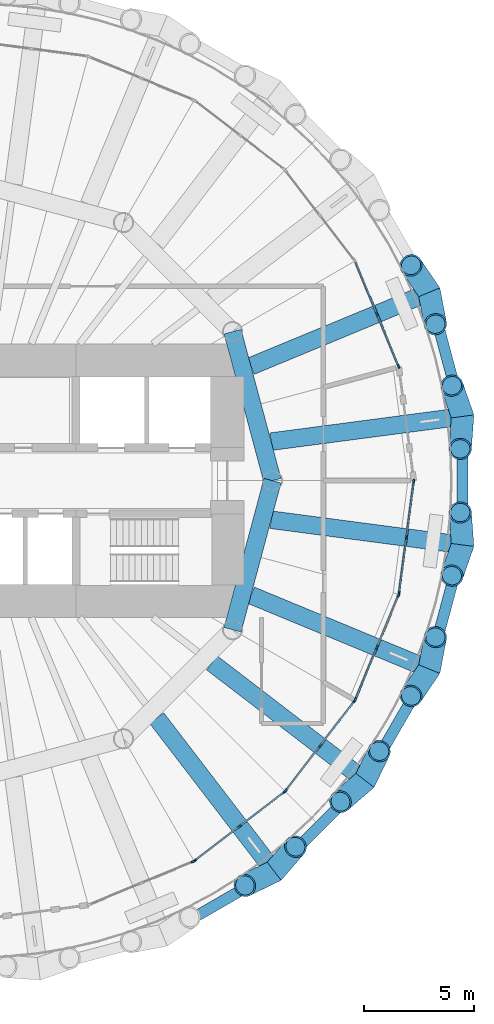
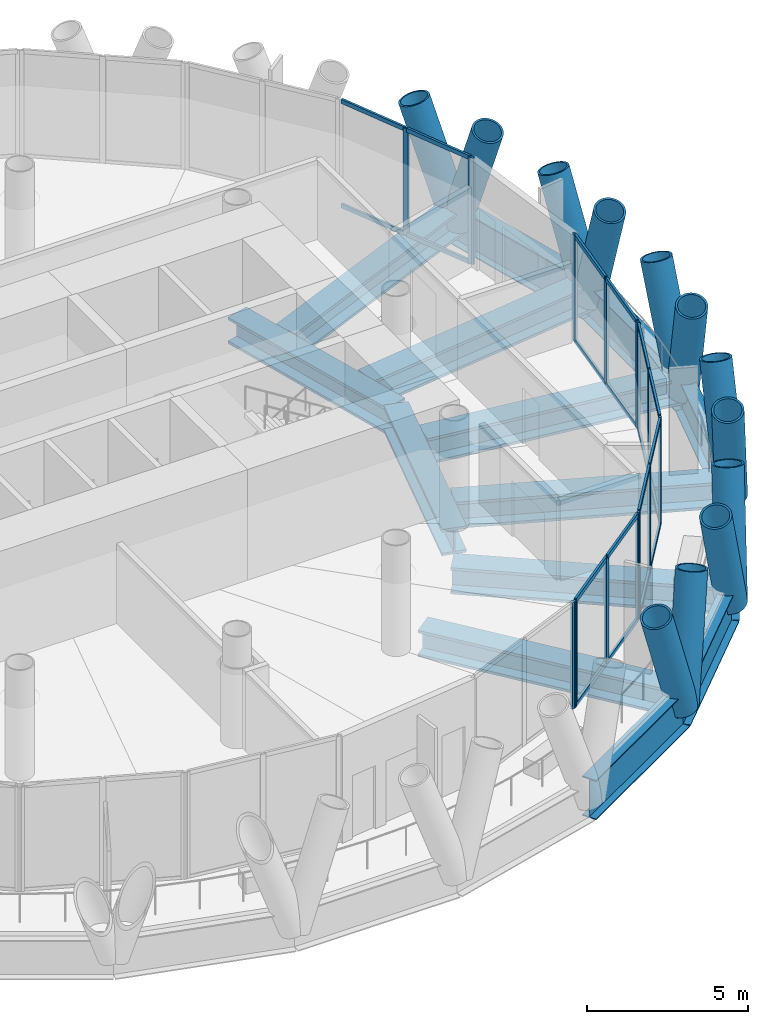
# One storey, part 5 of 16: 47 members, 14 beams, 6 elements without a shape of their own.
"""IFC4 building model written with IfcOpenShell, lengths in metres."""

from ifc_helpers import new_model, si_unit, direction, frame, origin, origin_2d, place, context, subcontext, project, spatial, rectangle, hollow_circle, i_section, extrude, material, material_profile, profile_set, type_object, element, aggregate, save


model = new_model("IFC4")

# Units and contexts
model_context = context("Model", 3, precision=1e-05, world=origin(), true_north=direction((0.0, 1.0)))
body_context = subcontext(model_context, "Body", "Model", "MODEL_VIEW")
ifc_project = project(units=[si_unit("LENGTHUNIT", "METRE"), si_unit("AREAUNIT", "SQUARE_METRE"), si_unit("VOLUMEUNIT", "CUBIC_METRE"), si_unit("PLANEANGLEUNIT", "RADIAN"), si_unit("MASSUNIT", "GRAM", prefix="KILO")], contexts=[model_context])

# Site, building, storey
site_placement = place(None, origin())
site = spatial("IfcSite", under=ifc_project, at=site_placement, CompositionType="ELEMENT")
building_placement = place(site_placement, origin())
building = spatial("IfcBuilding", under=site, at=building_placement, Name="Qaws Media Tower", CompositionType="ELEMENT")
storey_placement = place(building_placement, frame((0.0, 0.0, 252.800048828125)))
storey = spatial("IfcBuildingStorey", under=building, at=storey_placement, Name="L58", CompositionType="ELEMENT", Elevation=252.800048828125)

# Curtain wall, members
ifc_material_1 = material(Name="Aluminium and clear glass", Category="aluminium")
curtain_wall_type = type_object("IfcCurtainWallType", Name="Unitised curtain wall CW-C", PredefinedType="NOTDEFINED", material=ifc_material_1)
curtain_wall_1_placement = place(storey_placement, origin())
curtain_wall_1 = element("IfcCurtainWall", 1, at=curtain_wall_1_placement, inside=storey, type_object=curtain_wall_type, Name="CWC curtain wall L58-02", PredefinedType="NOTDEFINED")
ifc_material_2 = material(Name="Aluminium mullion", Category="aluminium")
ifc_material_profile_1 = material_profile(ifc_material_2, rectangle(XDim=0.080078125, YDim=0.199951171875, at=origin_2d()), Name="80x200")
ifc_profile_set_1 = profile_set([ifc_material_profile_1], Name="Aluminium mullion")
member_type_1 = type_object("IfcMemberType", Name="Curtain wall mullion 80x200", PredefinedType="MULLION", material=ifc_profile_set_1)
member_1_placement = place(storey_placement, frame((79.20654296875, 55.1875, 0.0), z_axis=(0.0, 0.0, 1.0), x_axis=(-0.923879560196, -0.382683365528, 0.0)))
member_1 = element("IfcMember", 2, at=member_1_placement, type_object=member_type_1, Name="CWC mullion 1", PredefinedType="MULLION", context=body_context, shape_type="SweptSolid", body=[
    extrude(rectangle(XDim=0.080078125, YDim=0.199951171875, at=origin_2d()), origin(), (0.0, 0.0, 1.0), 4.0400390625),
])
member_2_placement = place(storey_placement, frame((78.22802734375, 57.55029296875, 0.0), z_axis=(0.0, 0.0, 1.0), x_axis=(-0.923879560196, -0.382683365528, 0.0)))
member_2 = element("IfcMember", 3, at=member_2_placement, type_object=member_type_1, Name="CWC mullion 2", PredefinedType="MULLION", context=body_context, shape_type="SweptSolid", body=[
    extrude(rectangle(XDim=0.080078125, YDim=0.199951171875, at=origin_2d()), origin(), (0.0, 0.0, 1.0), 4.0400390625),
])

# Curtain wall, member
curtain_wall_2_placement = place(storey_placement, origin())
curtain_wall_2 = element("IfcCurtainWall", 4, at=curtain_wall_2_placement, inside=storey, type_object=curtain_wall_type, Name="CWC curtain wall L58-20", PredefinedType="NOTDEFINED")
member_3_placement = place(storey_placement, frame((69.9130859375, 32.750732421875, 0.0), z_axis=(0.0, 0.0, 1.0), x_axis=(-0.382683365528, 0.923879560196, 0.0)))
member_3 = element("IfcMember", 5, at=member_3_placement, type_object=member_type_1, Name="CWC mullion 3", PredefinedType="MULLION", context=body_context, shape_type="SweptSolid", body=[
    extrude(rectangle(XDim=0.080078125, YDim=0.199951171875, at=origin_2d()), origin(), (0.0, 0.0, 1.0), 4.0400390625),
])
aggregate(curtain_wall_2, [member_3])

# Curtain wall, members
curtain_wall_3_placement = place(storey_placement, origin())
curtain_wall_3 = element("IfcCurtainWall", 6, at=curtain_wall_3_placement, inside=storey, type_object=curtain_wall_type, Name="CWC curtain wall L58-21", PredefinedType="NOTDEFINED")
member_4_placement = place(storey_placement, frame((69.981689453125, 32.79052734375, 0.0), z_axis=(0.0, 0.0, 1.0), x_axis=(-0.608761473664, 0.793353306026, 0.0)))
member_4 = element("IfcMember", 7, at=member_4_placement, type_object=member_type_1, Name="CWC mullion 1", PredefinedType="MULLION", context=body_context, shape_type="SweptSolid", body=[
    extrude(rectangle(XDim=0.080078125, YDim=0.199951171875, at=origin_2d()), origin(), (0.0, 0.0, 1.0), 4.0400390625),
])
member_5_placement = place(storey_placement, frame((72.0107421875, 34.347412109375, 0.0), z_axis=(0.0, 0.0, 1.0), x_axis=(-0.608761473664, 0.793353306026, 0.0)))
member_5 = element("IfcMember", 8, at=member_5_placement, type_object=member_type_1, Name="CWC mullion 2", PredefinedType="MULLION", context=body_context, shape_type="SweptSolid", body=[
    extrude(rectangle(XDim=0.080078125, YDim=0.199951171875, at=origin_2d()), origin(), (0.0, 0.0, 1.0), 4.0400390625),
])
member_6_placement = place(storey_placement, frame((74.039794921875, 35.904296875, 0.0), z_axis=(0.0, 0.0, 1.0), x_axis=(-0.608761473664, 0.793353306026, 0.0)))
member_6 = element("IfcMember", 9, at=member_6_placement, type_object=member_type_1, Name="CWC mullion 3", PredefinedType="MULLION", context=body_context, shape_type="SweptSolid", body=[
    extrude(rectangle(XDim=0.080078125, YDim=0.199951171875, at=origin_2d()), origin(), (0.0, 0.0, 1.0), 4.0400390625),
])

curtain_wall_4_placement = place(storey_placement, origin())
curtain_wall_4 = element("IfcCurtainWall", 10, at=curtain_wall_4_placement, inside=storey, type_object=curtain_wall_type, Name="CWC curtain wall L58-22", PredefinedType="NOTDEFINED")
member_7_placement = place(storey_placement, frame((74.095703125, 35.960205078125, 0.0), z_axis=(0.0, 0.0, 1.0), x_axis=(-0.793353306026, 0.608761473664, 0.0)))
member_7 = element("IfcMember", 11, at=member_7_placement, type_object=member_type_1, Name="CWC mullion 1", PredefinedType="MULLION", context=body_context, shape_type="SweptSolid", body=[
    extrude(rectangle(XDim=0.080078125, YDim=0.199951171875, at=origin_2d()), origin(), (0.0, 0.0, 1.0), 4.0400390625),
])
member_8_placement = place(storey_placement, frame((75.652587890625, 37.9892578125, 0.0), z_axis=(0.0, 0.0, 1.0), x_axis=(-0.793353306026, 0.608761473664, 0.0)))
member_8 = element("IfcMember", 12, at=member_8_placement, type_object=member_type_1, Name="CWC mullion 2", PredefinedType="MULLION", context=body_context, shape_type="SweptSolid", body=[
    extrude(rectangle(XDim=0.080078125, YDim=0.199951171875, at=origin_2d()), origin(), (0.0, 0.0, 1.0), 4.0400390625),
])
member_9_placement = place(storey_placement, frame((77.20947265625, 40.018310546875, 0.0), z_axis=(0.0, 0.0, 1.0), x_axis=(-0.793353306026, 0.608761473664, 0.0)))
member_9 = element("IfcMember", 13, at=member_9_placement, type_object=member_type_1, Name="CWC mullion 3", PredefinedType="MULLION", context=body_context, shape_type="SweptSolid", body=[
    extrude(rectangle(XDim=0.080078125, YDim=0.199951171875, at=origin_2d()), origin(), (0.0, 0.0, 1.0), 4.0400390625),
])

curtain_wall_5_placement = place(storey_placement, origin())
curtain_wall_5 = element("IfcCurtainWall", 14, at=curtain_wall_5_placement, inside=storey, type_object=curtain_wall_type, Name="CWC curtain wall L58-23", PredefinedType="NOTDEFINED")
member_10_placement = place(storey_placement, frame((77.249267578125, 40.0869140625, 0.0), z_axis=(0.0, 0.0, 1.0), x_axis=(-0.923879560196, 0.382683365528, 0.0)))
member_10 = element("IfcMember", 15, at=member_10_placement, type_object=member_type_1, Name="CWC mullion 1", PredefinedType="MULLION", context=body_context, shape_type="SweptSolid", body=[
    extrude(rectangle(XDim=0.080078125, YDim=0.199951171875, at=origin_2d()), origin(), (0.0, 0.0, 1.0), 4.0400390625),
])
member_11_placement = place(storey_placement, frame((78.22802734375, 42.44970703125, 0.0), z_axis=(0.0, 0.0, 1.0), x_axis=(-0.923879560196, 0.382683365528, 0.0)))
member_11 = element("IfcMember", 16, at=member_11_placement, type_object=member_type_1, Name="CWC mullion 2", PredefinedType="MULLION", context=body_context, shape_type="SweptSolid", body=[
    extrude(rectangle(XDim=0.080078125, YDim=0.199951171875, at=origin_2d()), origin(), (0.0, 0.0, 1.0), 4.0400390625),
])
member_12_placement = place(storey_placement, frame((79.20654296875, 44.8125, 0.0), z_axis=(0.0, 0.0, 1.0), x_axis=(-0.923879560196, 0.382683365528, 0.0)))
member_12 = element("IfcMember", 17, at=member_12_placement, type_object=member_type_1, Name="CWC mullion 3", PredefinedType="MULLION", context=body_context, shape_type="SweptSolid", body=[
    extrude(rectangle(XDim=0.080078125, YDim=0.199951171875, at=origin_2d()), origin(), (0.0, 0.0, 1.0), 4.0400390625),
])

curtain_wall_6_placement = place(storey_placement, origin())
curtain_wall_6 = element("IfcCurtainWall", 18, at=curtain_wall_6_placement, inside=storey, type_object=curtain_wall_type, Name="CWC curtain wall L58-24", PredefinedType="NOTDEFINED")
member_13_placement = place(storey_placement, frame((79.22705078125, 44.88916015625, 0.0), z_axis=(0.0, 0.0, 1.0), x_axis=(-0.991444862798, 0.130526181405, 0.0)))
member_13 = element("IfcMember", 19, at=member_13_placement, type_object=member_type_1, Name="CWC mullion 1", PredefinedType="MULLION", context=body_context, shape_type="SweptSolid", body=[
    extrude(rectangle(XDim=0.080078125, YDim=0.199951171875, at=origin_2d()), origin(), (0.0, 0.0, 1.0), 4.0400390625),
])
member_14_placement = place(storey_placement, frame((79.56103515625, 47.4248046875, 0.0), z_axis=(0.0, 0.0, 1.0), x_axis=(-0.991444862798, 0.130526181405, 0.0)))
member_14 = element("IfcMember", 20, at=member_14_placement, type_object=member_type_1, Name="CWC mullion 2", PredefinedType="MULLION", context=body_context, shape_type="SweptSolid", body=[
    extrude(rectangle(XDim=0.080078125, YDim=0.199951171875, at=origin_2d()), origin(), (0.0, 0.0, 1.0), 4.0400390625),
])
member_15_placement = place(storey_placement, frame((79.894775390625, 49.96044921875, 0.0), z_axis=(0.0, 0.0, 1.0), x_axis=(-0.991444862798, 0.130526181405, 0.0)))
member_15 = element("IfcMember", 21, at=member_15_placement, type_object=member_type_1, Name="CWC mullion 3", PredefinedType="MULLION", context=body_context, shape_type="SweptSolid", body=[
    extrude(rectangle(XDim=0.080078125, YDim=0.199951171875, at=origin_2d()), origin(), (0.0, 0.0, 1.0), 4.0400390625),
])

# Member
ifc_material_3 = material(Name="Aluminium transom", Category="aluminium")
ifc_material_profile_2 = material_profile(ifc_material_3, rectangle(XDim=0.080078125, YDim=0.159912109375, at=origin_2d()), Name="80x160")
ifc_profile_set_2 = profile_set([ifc_material_profile_2], Name="Aluminium transom")
member_type_2 = type_object("IfcMemberType", Name="Curtain wall transom 80x160", PredefinedType="USERDEFINED", material=ifc_profile_set_2)
member_16_placement = place(storey_placement, frame((79.19140625, 55.224365234375, 0.0400390625), z_axis=(-0.382746335528, 0.923853474659, 0.0), x_axis=(-0.923853474659, -0.382746335528, 0.0)))
member_16 = element("IfcMember", 22, at=member_16_placement, type_object=member_type_2, Name="CWC transom 1.1", ObjectType="TRANSOM", PredefinedType="USERDEFINED", context=body_context, shape_type="SweptSolid", body=[
    extrude(rectangle(XDim=0.080078125, YDim=0.159912109375, at=origin_2d()), origin(), (0.0, 0.0, 1.0), 2.4775390625),
])

member_17_placement = place(storey_placement, frame((79.19140625, 55.224365234375, 4.0), z_axis=(-0.382746335528, 0.923853474659, 0.0), x_axis=(-0.923853474659, -0.382746335528, 0.0)))
member_17 = element("IfcMember", 23, at=member_17_placement, type_object=member_type_2, Name="CWC transom 1.2", ObjectType="TRANSOM", PredefinedType="USERDEFINED", context=body_context, shape_type="SweptSolid", body=[
    extrude(rectangle(XDim=0.080078125, YDim=0.159912109375, at=origin_2d()), origin(), (0.0, 0.0, 1.0), 2.4775390625),
])

member_18_placement = place(storey_placement, frame((78.212646484375, 57.587158203125, 0.0400390625), z_axis=(-0.382746335528, 0.923853474659, 0.0), x_axis=(-0.923853474659, -0.382746335528, 0.0)))
member_18 = element("IfcMember", 24, at=member_18_placement, type_object=member_type_2, Name="CWC transom 2.1", ObjectType="TRANSOM", PredefinedType="USERDEFINED", context=body_context, shape_type="SweptSolid", body=[
    extrude(rectangle(XDim=0.080078125, YDim=0.159912109375, at=origin_2d()), origin(), (0.0, 0.0, 1.0), 2.4775390625),
])

member_19_placement = place(storey_placement, frame((78.212646484375, 57.587158203125, 4.0), z_axis=(-0.382746335528, 0.923853474659, 0.0), x_axis=(-0.923853474659, -0.382746335528, 0.0)))
member_19 = element("IfcMember", 25, at=member_19_placement, type_object=member_type_2, Name="CWC transom 2.2", ObjectType="TRANSOM", PredefinedType="USERDEFINED", context=body_context, shape_type="SweptSolid", body=[
    extrude(rectangle(XDim=0.080078125, YDim=0.159912109375, at=origin_2d()), origin(), (0.0, 0.0, 1.0), 2.4775390625),
])

aggregate(curtain_wall_1, [member_1, member_2, member_16, member_17, member_18, member_19])

member_20_placement = place(storey_placement, frame((70.013427734375, 32.814697265625, 0.0400390625), z_axis=(0.793341422432, 0.608776960351, 0.0), x_axis=(-0.608776960351, 0.793341422432, 0.0)))
member_20 = element("IfcMember", 26, at=member_20_placement, type_object=member_type_2, Name="CWC transom 1.1", ObjectType="TRANSOM", PredefinedType="USERDEFINED", context=body_context, shape_type="SweptSolid", body=[
    extrude(rectangle(XDim=0.080078125, YDim=0.159912109375, at=origin_2d()), origin(), (0.0, 0.0, 1.0), 2.4775390625),
])

member_21_placement = place(storey_placement, frame((70.013427734375, 32.814697265625, 4.0), z_axis=(0.793341422432, 0.608776960351, 0.0), x_axis=(-0.608776960351, 0.793341422432, 0.0)))
member_21 = element("IfcMember", 27, at=member_21_placement, type_object=member_type_2, Name="CWC transom 1.2", ObjectType="TRANSOM", PredefinedType="USERDEFINED", context=body_context, shape_type="SweptSolid", body=[
    extrude(rectangle(XDim=0.080078125, YDim=0.159912109375, at=origin_2d()), origin(), (0.0, 0.0, 1.0), 2.4775390625),
])

member_22_placement = place(storey_placement, frame((72.04248046875, 34.37158203125, 0.0400390625), z_axis=(0.793341422432, 0.608776960351, 0.0), x_axis=(-0.608776960351, 0.793341422432, 0.0)))
member_22 = element("IfcMember", 28, at=member_22_placement, type_object=member_type_2, Name="CWC transom 2.1", ObjectType="TRANSOM", PredefinedType="USERDEFINED", context=body_context, shape_type="SweptSolid", body=[
    extrude(rectangle(XDim=0.080078125, YDim=0.159912109375, at=origin_2d()), origin(), (0.0, 0.0, 1.0), 2.4775390625),
])

member_23_placement = place(storey_placement, frame((72.04248046875, 34.37158203125, 4.0), z_axis=(0.793341422432, 0.608776960351, 0.0), x_axis=(-0.608776960351, 0.793341422432, 0.0)))
member_23 = element("IfcMember", 29, at=member_23_placement, type_object=member_type_2, Name="CWC transom 2.2", ObjectType="TRANSOM", PredefinedType="USERDEFINED", context=body_context, shape_type="SweptSolid", body=[
    extrude(rectangle(XDim=0.080078125, YDim=0.159912109375, at=origin_2d()), origin(), (0.0, 0.0, 1.0), 2.4775390625),
])

aggregate(curtain_wall_3, [member_4, member_5, member_6, member_20, member_21, member_22, member_23])

member_24_placement = place(storey_placement, frame((74.1201171875, 35.991943359375, 0.0400390625), z_axis=(0.608776960351, 0.793341422432, 0.0), x_axis=(-0.793341422432, 0.608776960351, 0.0)))
member_24 = element("IfcMember", 30, at=member_24_placement, type_object=member_type_2, Name="CWC transom 1.1", ObjectType="TRANSOM", PredefinedType="USERDEFINED", context=body_context, shape_type="SweptSolid", body=[
    extrude(rectangle(XDim=0.080078125, YDim=0.159912109375, at=origin_2d()), origin(), (0.0, 0.0, 1.0), 2.4775390625),
])

member_25_placement = place(storey_placement, frame((74.1201171875, 35.991943359375, 4.0), z_axis=(0.608776960351, 0.793341422432, 0.0), x_axis=(-0.793341422432, 0.608776960351, 0.0)))
member_25 = element("IfcMember", 31, at=member_25_placement, type_object=member_type_2, Name="CWC transom 1.2", ObjectType="TRANSOM", PredefinedType="USERDEFINED", context=body_context, shape_type="SweptSolid", body=[
    extrude(rectangle(XDim=0.080078125, YDim=0.159912109375, at=origin_2d()), origin(), (0.0, 0.0, 1.0), 2.4775390625),
])

member_26_placement = place(storey_placement, frame((75.677001953125, 38.02099609375, 0.0400390625), z_axis=(0.608776960351, 0.793341422432, 0.0), x_axis=(-0.793341422432, 0.608776960351, 0.0)))
member_26 = element("IfcMember", 32, at=member_26_placement, type_object=member_type_2, Name="CWC transom 2.1", ObjectType="TRANSOM", PredefinedType="USERDEFINED", context=body_context, shape_type="SweptSolid", body=[
    extrude(rectangle(XDim=0.080078125, YDim=0.159912109375, at=origin_2d()), origin(), (0.0, 0.0, 1.0), 2.4775390625),
])

member_27_placement = place(storey_placement, frame((75.677001953125, 38.02099609375, 4.0), z_axis=(0.608776960351, 0.793341422432, 0.0), x_axis=(-0.793341422432, 0.608776960351, 0.0)))
member_27 = element("IfcMember", 33, at=member_27_placement, type_object=member_type_2, Name="CWC transom 2.2", ObjectType="TRANSOM", PredefinedType="USERDEFINED", context=body_context, shape_type="SweptSolid", body=[
    extrude(rectangle(XDim=0.080078125, YDim=0.159912109375, at=origin_2d()), origin(), (0.0, 0.0, 1.0), 2.4775390625),
])

aggregate(curtain_wall_4, [member_7, member_8, member_9, member_24, member_25, member_26, member_27])

member_28_placement = place(storey_placement, frame((77.264404296875, 40.1240234375, 0.0400390625), z_axis=(0.382746335528, 0.923853474659, 0.0), x_axis=(-0.923853474659, 0.382746335528, 0.0)))
member_28 = element("IfcMember", 34, at=member_28_placement, type_object=member_type_2, Name="CWC transom 1.1", ObjectType="TRANSOM", PredefinedType="USERDEFINED", context=body_context, shape_type="SweptSolid", body=[
    extrude(rectangle(XDim=0.080078125, YDim=0.159912109375, at=origin_2d()), origin(), (0.0, 0.0, 1.0), 2.4775390625),
])

member_29_placement = place(storey_placement, frame((77.264404296875, 40.1240234375, 4.0), z_axis=(0.382746335528, 0.923853474659, 0.0), x_axis=(-0.923853474659, 0.382746335528, 0.0)))
member_29 = element("IfcMember", 35, at=member_29_placement, type_object=member_type_2, Name="CWC transom 1.2", ObjectType="TRANSOM", PredefinedType="USERDEFINED", context=body_context, shape_type="SweptSolid", body=[
    extrude(rectangle(XDim=0.080078125, YDim=0.159912109375, at=origin_2d()), origin(), (0.0, 0.0, 1.0), 2.4775390625),
])

member_30_placement = place(storey_placement, frame((78.2431640625, 42.48681640625, 0.0400390625), z_axis=(0.382746335528, 0.923853474659, 0.0), x_axis=(-0.923853474659, 0.382746335528, 0.0)))
member_30 = element("IfcMember", 36, at=member_30_placement, type_object=member_type_2, Name="CWC transom 2.1", ObjectType="TRANSOM", PredefinedType="USERDEFINED", context=body_context, shape_type="SweptSolid", body=[
    extrude(rectangle(XDim=0.080078125, YDim=0.159912109375, at=origin_2d()), origin(), (0.0, 0.0, 1.0), 2.4775390625),
])

member_31_placement = place(storey_placement, frame((78.2431640625, 42.48681640625, 4.0), z_axis=(0.382746335528, 0.923853474659, 0.0), x_axis=(-0.923853474659, 0.382746335528, 0.0)))
member_31 = element("IfcMember", 37, at=member_31_placement, type_object=member_type_2, Name="CWC transom 2.2", ObjectType="TRANSOM", PredefinedType="USERDEFINED", context=body_context, shape_type="SweptSolid", body=[
    extrude(rectangle(XDim=0.080078125, YDim=0.159912109375, at=origin_2d()), origin(), (0.0, 0.0, 1.0), 2.4775390625),
])

aggregate(curtain_wall_5, [member_10, member_11, member_12, member_28, member_29, member_30, member_31])

member_32_placement = place(storey_placement, frame((79.232421875, 44.9287109375, 0.0400390625), z_axis=(0.130472356474, 0.991451947497, 0.0), x_axis=(-0.991451947497, 0.130472356474, 0.0)))
member_32 = element("IfcMember", 38, at=member_32_placement, type_object=member_type_2, Name="CWC transom 1.1", ObjectType="TRANSOM", PredefinedType="USERDEFINED", context=body_context, shape_type="SweptSolid", body=[
    extrude(rectangle(XDim=0.080078125, YDim=0.159912109375, at=origin_2d()), origin(), (0.0, 0.0, 1.0), 2.4775390625),
])

member_33_placement = place(storey_placement, frame((79.232421875, 44.9287109375, 4.0), z_axis=(0.130472356474, 0.991451947497, 0.0), x_axis=(-0.991451947497, 0.130472356474, 0.0)))
member_33 = element("IfcMember", 39, at=member_33_placement, type_object=member_type_2, Name="CWC transom 1.2", ObjectType="TRANSOM", PredefinedType="USERDEFINED", context=body_context, shape_type="SweptSolid", body=[
    extrude(rectangle(XDim=0.080078125, YDim=0.159912109375, at=origin_2d()), origin(), (0.0, 0.0, 1.0), 2.4775390625),
])

member_34_placement = place(storey_placement, frame((79.566162109375, 47.46435546875, 0.0400390625), z_axis=(0.130569221162, 0.991439195556, 0.0), x_axis=(-0.991439195556, 0.130569221162, 0.0)))
member_34 = element("IfcMember", 40, at=member_34_placement, type_object=member_type_2, Name="CWC transom 2.1", ObjectType="TRANSOM", PredefinedType="USERDEFINED", context=body_context, shape_type="SweptSolid", body=[
    extrude(rectangle(XDim=0.080078125, YDim=0.159912109375, at=origin_2d()), origin(), (0.0, 0.0, 1.0), 2.4775390625),
])

member_35_placement = place(storey_placement, frame((79.566162109375, 47.46435546875, 4.0), z_axis=(0.130569221162, 0.991439195556, 0.0), x_axis=(-0.991439195556, 0.130569221162, 0.0)))
member_35 = element("IfcMember", 41, at=member_35_placement, type_object=member_type_2, Name="CWC transom 2.2", ObjectType="TRANSOM", PredefinedType="USERDEFINED", context=body_context, shape_type="SweptSolid", body=[
    extrude(rectangle(XDim=0.080078125, YDim=0.159912109375, at=origin_2d()), origin(), (0.0, 0.0, 1.0), 2.4775390625),
])

aggregate(curtain_wall_6, [member_13, member_14, member_15, member_32, member_33, member_34, member_35])

# Members
ifc_material_4 = material(Name="Steel S460", Category="steel")
ifc_material_profile_3 = material_profile(ifc_material_4, hollow_circle(Radius=0.508056640625, WallThickness=0.070068359375, at=origin_2d()), Name="CHS 1016x70")
ifc_profile_set_3 = profile_set([ifc_material_profile_3], Name="Steel S460")
member_type_3 = type_object("IfcMemberType", Name="Diagrid member CHS 1016x70", PredefinedType="USERDEFINED", material=ifc_profile_set_3)
member_36_placement = place(storey_placement, frame((82.109130859375, 52.91064453125, -0.91015625), z_axis=(-0.10849848488, 0.312550236019, 0.943684496399), x_axis=(-0.944697921498, -0.327941819713, 0.0)))
element("IfcMember", 42, at=member_36_placement, inside=storey, type_object=member_type_3, Name="DG3 diagrid L58 A01", ObjectType="DIAGRID", PredefinedType="USERDEFINED", context=body_context, shape_type="SweptSolid", body=[
    extrude(hollow_circle(Radius=0.508056640625, WallThickness=0.070068359375, at=origin_2d()), origin(), (0.0, 0.0, 1.0), 4.450927734375),
])
for number, where, z_axis, x_axis, name in (
    (43, (82.109130859375, 52.91064453125, -0.91015625), (-0.023916079898, -0.329943166477, 0.943697794857), (0.997383236679, -0.072295775759, 0.0), "DG3 diagrid L58 B01"),
    (44, (80.6025390625, 58.533935546875, -0.91015625), (-0.185679302452, 0.273774120691, 0.943700655653), (-0.827610579333, -0.561302707081, 0.0), "DG3 diagrid L58 A02"),
):
    element("IfcMember", number, at=place(storey_placement, frame(where, z_axis=z_axis, x_axis=x_axis)), inside=storey, type_object=member_type_3, Name=name, ObjectType="DIAGRID", PredefinedType="USERDEFINED", context=body_context, shape_type="SweptSolid", body=[
        extrude(hollow_circle(Radius=0.508056640625, WallThickness=0.070068359375, at=origin_2d()), origin(), (0.0, 0.0, 1.0), 4.45068359375),
    ])
for number, where, z_axis, x_axis, name in (
    (45, (80.6025390625, 58.533935546875, -0.91015625), (0.062312148052, -0.324944687554, 0.943677988636), (0.982105639772, 0.188330858673, 0.0), "DG3 diagrid L58 B02"),
    (46, (73.575439453125, 32.30810546875, -0.91015625), (0.216395159738, 0.250239472427, 0.943691337929), (-0.756405297848, 0.654103222273, 0.0), "DG3 diagrid L58 A21"),
    (47, (73.575439453125, 32.30810546875, -0.91015625), (-0.297739850899, -0.144262308007, 0.943683934204), (0.436037559006, -0.899928467789, 0.0), "DG3 diagrid L58 B21"),
    (48, (77.69189453125, 36.424560546875, -0.91015625), (0.144262308007, 0.297739850899, 0.943683934204), (-0.899928467789, 0.436037559006, 0.0), "DG3 diagrid L58 A22"),
    (49, (77.69189453125, 36.424560546875, -0.91015625), (-0.250239472427, -0.216395159738, 0.943691337929), (0.654103222273, -0.756405297848, 0.0), "DG3 diagrid L58 B22"),
    (50, (80.6025390625, 41.466064453125, -0.91015625), (0.062312148052, 0.324944687554, 0.943677988636), (-0.982105639772, 0.188330858673, 0.0), "DG3 diagrid L58 A23"),
):
    element("IfcMember", number, at=place(storey_placement, frame(where, z_axis=z_axis, x_axis=x_axis)), inside=storey, type_object=member_type_3, Name=name, ObjectType="DIAGRID", PredefinedType="USERDEFINED", context=body_context, shape_type="SweptSolid", body=[
        extrude(hollow_circle(Radius=0.508056640625, WallThickness=0.070068359375, at=origin_2d()), origin(), (0.0, 0.0, 1.0), 4.450927734375),
    ])
for number, where, z_axis, x_axis, name in (
    (51, (80.6025390625, 41.466064453125, -0.91015625), (-0.185679302452, -0.273774120691, 0.943700655653), (0.827610579333, -0.561302707081, 0.0), "DG3 diagrid L58 B23"),
    (52, (82.109130859375, 47.08935546875, -0.91015625), (-0.023916079898, 0.329943166477, 0.943697794857), (-0.997383236679, -0.072295775759, 0.0), "DG3 diagrid L58 A24"),
):
    element("IfcMember", number, at=place(storey_placement, frame(where, z_axis=z_axis, x_axis=x_axis)), inside=storey, type_object=member_type_3, Name=name, ObjectType="DIAGRID", PredefinedType="USERDEFINED", context=body_context, shape_type="SweptSolid", body=[
        extrude(hollow_circle(Radius=0.508056640625, WallThickness=0.070068359375, at=origin_2d()), origin(), (0.0, 0.0, 1.0), 4.45068359375),
    ])
member_37_placement = place(storey_placement, frame((82.109130859375, 47.08935546875, -0.91015625), z_axis=(-0.10849848488, -0.312550236019, 0.943684496399), x_axis=(0.944697921498, -0.327941819713, 0.0)))
element("IfcMember", 53, at=member_37_placement, inside=storey, type_object=member_type_3, Name="DG3 diagrid L58 B24", ObjectType="DIAGRID", PredefinedType="USERDEFINED", context=body_context, shape_type="SweptSolid", body=[
    extrude(hollow_circle(Radius=0.508056640625, WallThickness=0.070068359375, at=origin_2d()), origin(), (0.0, 0.0, 1.0), 4.450927734375),
])

# Beams
ifc_material_5 = material(Name="Steel S460", Category="steel")
ifc_material_profile_4 = material_profile(ifc_material_5, i_section(OverallWidth=0.5, OverallDepth=1.5, WebThickness=0.02001953125, FlangeThickness=0.0400390625, at=origin_2d()), Name="PG 1500x500")
ifc_profile_set_4 = profile_set([ifc_material_profile_4], Name="Steel S460")
beam_type_1 = type_object("IfcBeamType", Name="Edge ring beam PG 1500x500", PredefinedType="BEAM", material=ifc_profile_set_4)
beam_1_placement = place(storey_placement, frame((82.109130859375, 52.91064453125, -0.91015625), z_axis=(-0.258792682766, 0.96593288967, 0.0), x_axis=(-0.96593288967, -0.258792682766, 0.0)))
element("IfcBeam", 54, at=beam_1_placement, inside=storey, type_object=beam_type_1, Name="RB4 edge ring beam L58-01", PredefinedType="BEAM", context=body_context, shape_type="SweptSolid", body=[
    extrude(i_section(OverallWidth=0.5, OverallDepth=1.5, WebThickness=0.02001953125, FlangeThickness=0.0400390625, at=origin_2d()), origin(), (0.0, 0.0, 1.0), 5.821533203125),
])
beam_2_placement = place(storey_placement, frame((68.533935546875, 29.3974609375, -0.91015625), z_axis=(0.866030544062, 0.499991096673, 0.0), x_axis=(-0.499991096673, 0.866030544062, 0.0)))
element("IfcBeam", 55, at=beam_2_placement, inside=storey, type_object=beam_type_1, Name="RB4 edge ring beam L58-20", PredefinedType="BEAM", context=body_context, shape_type="SweptSolid", body=[
    extrude(i_section(OverallWidth=0.5, OverallDepth=1.5, WebThickness=0.02001953125, FlangeThickness=0.0400390625, at=origin_2d()), origin(), (0.0, 0.0, 1.0), 5.8212890625),
])
beam_3_placement = place(storey_placement, frame((73.575439453125, 32.30810546875, -0.91015625), z_axis=(0.707106781187, 0.707106781187, 0.0), x_axis=(-0.707106781187, 0.707106781187, 0.0)))
element("IfcBeam", 56, at=beam_3_placement, inside=storey, type_object=beam_type_1, Name="RB4 edge ring beam L58-21", PredefinedType="BEAM", context=body_context, shape_type="SweptSolid", body=[
    extrude(i_section(OverallWidth=0.5, OverallDepth=1.5, WebThickness=0.02001953125, FlangeThickness=0.0400390625, at=origin_2d()), origin(), (0.0, 0.0, 1.0), 5.821533203125),
])
beam_4_placement = place(storey_placement, frame((77.69189453125, 36.424560546875, -0.91015625), z_axis=(0.499991096673, 0.866030544062, 0.0), x_axis=(-0.866030544062, 0.499991096673, 0.0)))
element("IfcBeam", 57, at=beam_4_placement, inside=storey, type_object=beam_type_1, Name="RB4 edge ring beam L58-22", PredefinedType="BEAM", context=body_context, shape_type="SweptSolid", body=[
    extrude(i_section(OverallWidth=0.5, OverallDepth=1.5, WebThickness=0.02001953125, FlangeThickness=0.0400390625, at=origin_2d()), origin(), (0.0, 0.0, 1.0), 5.8212890625),
])
beam_5_placement = place(storey_placement, frame((80.6025390625, 41.466064453125, -0.91015625), z_axis=(0.258792682766, 0.96593288967, 0.0), x_axis=(-0.96593288967, 0.258792682766, 0.0)))
element("IfcBeam", 58, at=beam_5_placement, inside=storey, type_object=beam_type_1, Name="RB4 edge ring beam L58-23", PredefinedType="BEAM", context=body_context, shape_type="SweptSolid", body=[
    extrude(i_section(OverallWidth=0.5, OverallDepth=1.5, WebThickness=0.02001953125, FlangeThickness=0.0400390625, at=origin_2d()), origin(), (0.0, 0.0, 1.0), 5.821533203125),
])
beam_6_placement = place(storey_placement, frame((82.109130859375, 47.08935546875, -0.91015625), z_axis=(0.0, 1.0, 0.0), x_axis=(-1.0, 0.0, 0.0)))
element("IfcBeam", 59, at=beam_6_placement, inside=storey, type_object=beam_type_1, Name="RB4 edge ring beam L58-24", PredefinedType="BEAM", context=body_context, shape_type="SweptSolid", body=[
    extrude(i_section(OverallWidth=0.5, OverallDepth=1.5, WebThickness=0.02001953125, FlangeThickness=0.0400390625, at=origin_2d()), origin(), (0.0, 0.0, 1.0), 5.8212890625),
])
ifc_material_6 = material(Name="Steel S460", Category="steel")
ifc_material_profile_5 = material_profile(ifc_material_6, i_section(OverallWidth=0.800048828125, OverallDepth=1.0, WebThickness=0.0400390625, FlangeThickness=0.10009765625, at=origin_2d()), Name="PG 1000x800")
ifc_profile_set_5 = profile_set([ifc_material_profile_5], Name="Steel S460")
beam_type_2 = type_object("IfcBeamType", Name="Inner ring girder PG 1000x800", PredefinedType="BEAM", material=ifc_profile_set_5)
for number, where, z_axis, x_axis, name in (
    (60, (73.5, 50.0, -0.66015625), (-0.258810593767, 0.965928090778, 0.0), (-0.965928090778, -0.258810593767, 0.0), "B3 inner ring beam L58 I01-I02"),
    (61, (71.69140625, 43.25, -0.66015625), (0.258810593767, 0.965928090778, 0.0), (-0.965928090778, 0.258810593767, 0.0), "B3 inner ring beam L58 I12-I01"),
):
    element("IfcBeam", number, at=place(storey_placement, frame(where, z_axis=z_axis, x_axis=x_axis)), inside=storey, type_object=beam_type_2, Name=name, PredefinedType="BEAM", context=body_context, shape_type="SweptSolid", body=[
        extrude(i_section(OverallWidth=0.800048828125, OverallDepth=1.0, WebThickness=0.0400390625, FlangeThickness=0.10009765625, at=origin_2d()), origin(), (0.0, 0.0, 1.0), 6.988037109375),
    ])
ifc_material_7 = material(Name="Steel S460", Category="steel")
ifc_material_profile_6 = material_profile(ifc_material_7, i_section(OverallWidth=0.800048828125, OverallDepth=1.0, WebThickness=0.0400390625, FlangeThickness=0.10009765625, at=origin_2d()), Name="PG 1000x800")
ifc_profile_set_6 = profile_set([ifc_material_profile_6], Name="Steel S460")
beam_type_3 = type_object("IfcBeamType", Name="Radial girder PG 1000x800", PredefinedType="BEAM", material=ifc_profile_set_6)
for number, where, z_axis, x_axis, name in (
    (62, (73.43994140625, 51.769287109375, -0.66015625), (0.991444314093, 0.130530349162, 0.0), (-0.130530349162, 0.991444314093, 0.0), "B1 radial beam L58 01"),
    (63, (72.524169921875, 55.187744140625, -0.66015625), (0.923878669392, 0.382685516114, 0.0), (-0.382685516114, 0.923878669392, 0.0), "B1 radial beam L58 02"),
):
    element("IfcBeam", number, at=place(storey_placement, frame(where, z_axis=z_axis, x_axis=x_axis)), inside=storey, type_object=beam_type_3, Name=name, PredefinedType="BEAM", context=body_context, shape_type="SweptSolid", body=[
        extrude(i_section(OverallWidth=0.800048828125, OverallDepth=1.0, WebThickness=0.0400390625, FlangeThickness=0.10009765625, at=origin_2d()), origin(), (0.0, 0.0, 1.0), 8.743896484375),
    ])
for number, where, z_axis, x_axis, name in (
    (64, (68.25244140625, 39.245361328125, -0.66015625), (0.608750948801, -0.793361381928, 0.0), (0.793361381928, 0.608750948801, 0.0), "B1 radial beam L58 21"),
    (65, (70.754638671875, 41.74755859375, -0.66015625), (0.793361381928, -0.608750948801, 0.0), (0.608750948801, 0.793361381928, 0.0), "B1 radial beam L58 22"),
):
    element("IfcBeam", number, at=place(storey_placement, frame(where, z_axis=z_axis, x_axis=x_axis)), inside=storey, type_object=beam_type_3, Name=name, PredefinedType="BEAM", context=body_context, shape_type="SweptSolid", body=[
        extrude(i_section(OverallWidth=0.800048828125, OverallDepth=1.0, WebThickness=0.0400390625, FlangeThickness=0.10009765625, at=origin_2d()), origin(), (0.0, 0.0, 1.0), 8.744140625),
    ])
for number, where, z_axis, x_axis, name in (
    (66, (72.524169921875, 44.812255859375, -0.66015625), (0.923878669392, -0.382685516114, 0.0), (0.382685516114, 0.923878669392, 0.0), "B1 radial beam L58 23"),
    (67, (73.43994140625, 48.230712890625, -0.66015625), (0.991444314093, -0.130530349162, 0.0), (0.130530349162, 0.991444314093, 0.0), "B1 radial beam L58 24"),
):
    element("IfcBeam", number, at=place(storey_placement, frame(where, z_axis=z_axis, x_axis=x_axis)), inside=storey, type_object=beam_type_3, Name=name, PredefinedType="BEAM", context=body_context, shape_type="SweptSolid", body=[
        extrude(i_section(OverallWidth=0.800048828125, OverallDepth=1.0, WebThickness=0.0400390625, FlangeThickness=0.10009765625, at=origin_2d()), origin(), (0.0, 0.0, 1.0), 8.743896484375),
    ])

save(model, "model.ifc")
